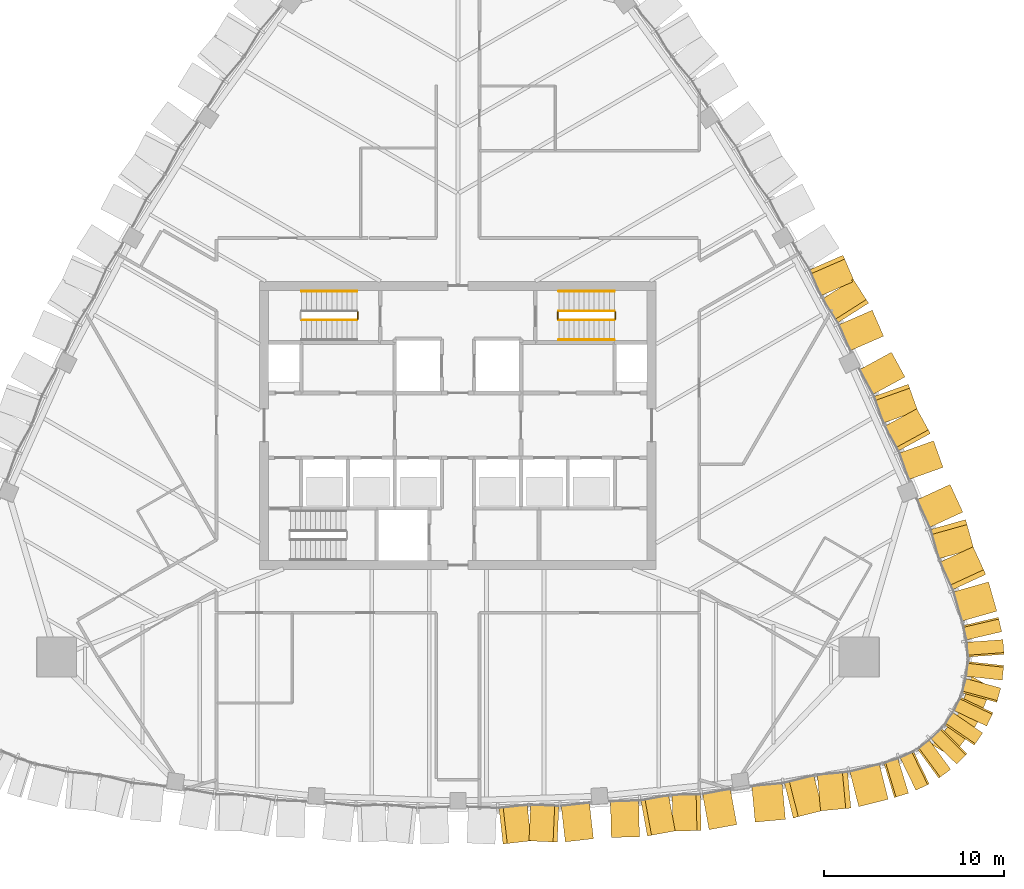
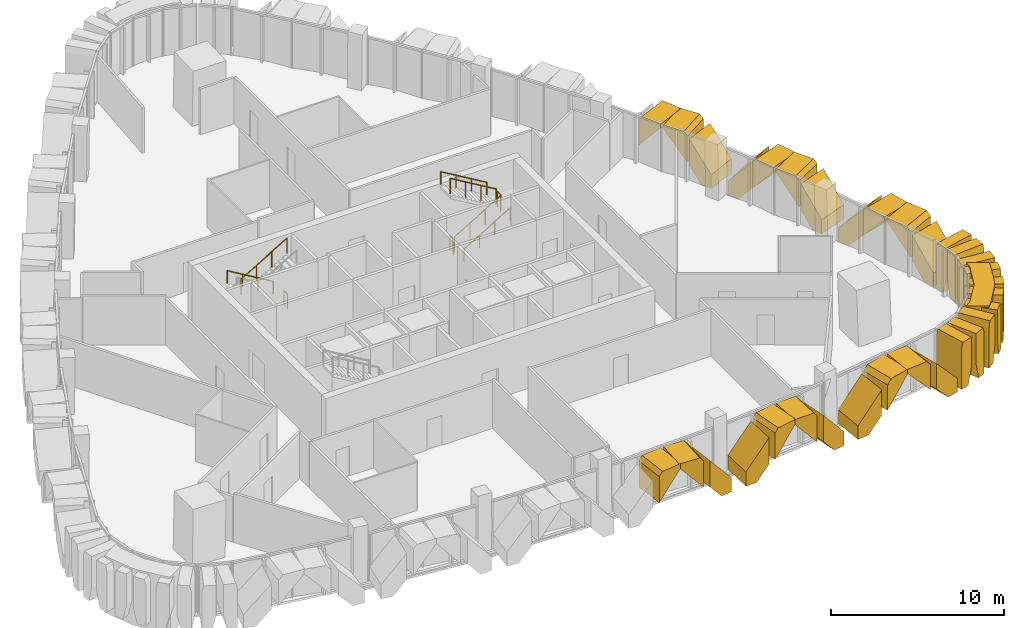
# One storey, part 17 of 19: 33 coverings, 9 railings.
"""IFC4 building model written with IfcOpenShell, lengths in metres."""

from ifc_helpers import new_model, si_unit, direction, frame, origin, origin_2d, place, context, subcontext, project, spatial, polyline, circle, outline, extrude, material, layer, layer_set, type_object, element, save


model = new_model("IFC4")

# Units and contexts
model_context = context("Model", 3, precision=1e-05, world=origin(), true_north=direction((0.0, 1.0)))
body_context = subcontext(model_context, "Body", "Model", "MODEL_VIEW")
ifc_project = project(units=[si_unit("LENGTHUNIT", "METRE"), si_unit("AREAUNIT", "SQUARE_METRE"), si_unit("VOLUMEUNIT", "CUBIC_METRE"), si_unit("PLANEANGLEUNIT", "RADIAN"), si_unit("MASSUNIT", "GRAM", prefix="KILO")], contexts=[model_context])

# Site, building, storey
site_placement = place(None, origin())
site = spatial("IfcSite", under=ifc_project, at=site_placement, CompositionType="ELEMENT")
building_placement = place(site_placement, origin())
building = spatial("IfcBuilding", under=site, at=building_placement, Name="Sierra Prisma Convention Tower", CompositionType="ELEMENT")
storey_placement = place(building_placement, frame((0.0, 0.0, 231.0)))
storey = spatial("IfcBuildingStorey", under=building, at=storey_placement, Name="L51", CompositionType="ELEMENT", Elevation=231.0)

# Coverings
ifc_material_1 = material(Name="Aluminium composite bronze anodised", Category="aluminium")
ifc_layer_1 = layer(ifc_material_1, 1.199951171875)
ifc_layer_set_1 = layer_set([ifc_layer_1], Name="Bronze corner pier")
covering_type_1 = type_object("IfcCoveringType", Name="Bronze corner pier", PredefinedType="CLADDING", material=ifc_layer_set_1)
covering_1_placement = place(storey_placement, frame((0.0, 0.0, -0.60009765625)))
element("IfcCovering", 1, at=covering_1_placement, inside=storey, type_object=covering_type_1, Name="Corner pier SE L51.1", PredefinedType="CLADDING", context=body_context, shape_type="SweptSolid", body=[
    extrude(outline(polyline([(29.507080078125, -14.82958984375), (28.84912109375, -16.4619140625), (28.680908203125, -16.7529296875), (27.59619140625, -18.138916015625), (27.37939453125, -18.347900390625), (26.2451171875, -17.693115234375), (26.6513671875, -17.3994140625), (27.736083984375, -16.013427734375), (28.39404296875, -14.381103515625), (28.445068359375, -13.88232421875), (29.579345703125, -14.537353515625), (29.507080078125, -14.82958984375)])), origin(), (0.0, 0.0, 1.0), 4.0),
])
ifc_material_2 = material(Name="Aluminium 6063-T6 bronze anodised", Category="aluminium")
ifc_layer_2 = layer(ifc_material_2, 2.0)
ifc_layer_set_2 = layer_set([ifc_layer_2], Name="Bronze crystal chevron frame")
covering_type_2 = type_object("IfcCoveringType", Name="Bronze crystal chevron frame", PredefinedType="CLADDING", material=ifc_layer_set_2)
covering_2_placement = place(storey_placement, frame((2.505126953125, -23.230712890625, 3.003662109375), z_axis=(0.11237336698, -0.993666053759, -6.403e-08), x_axis=(-7.195e-09, 6.3625e-08, -1.0)))
element("IfcCovering", 2, at=covering_2_placement, inside=storey, type_object=covering_type_2, Name="CW-2 chevron frame S4.1.2", PredefinedType="CLADDING", context=body_context, shape_type="SweptSolid", body=[
    extrude(outline(polyline([(0.0, 0.0), (1.8542480468749962, 0.0), (0.001464843749998864, 1.5729512680323616), (-0.27636718750000056, 1.5729512680323616), (-0.2763671875000093, 0.23464047972997332), (0.0, 0.0)])), origin(), (0.0, 0.0, -1.0), 2.0),
])
covering_3_placement = place(storey_placement, frame((3.94384765625, -23.05810546875, 3.280029296875), z_axis=(-0.044405665844, -0.999013579596, -6.8004954e-05), x_axis=(3.019805e-06, 6.7937872e-05, -0.999999997688)))
element("IfcCovering", 3, at=covering_3_placement, inside=storey, type_object=covering_type_2, Name="CW-2 chevron frame S4.2.1", PredefinedType="CLADDING", context=body_context, shape_type="SweptSolid", body=[
    extrude(outline(polyline([(0.0, 0.0), (0.2778320306075588, 0.0), (2.1306152307264083, 1.572839705469998), (0.27636718813905403, 1.572839705469998), (-9.860174714622487e-09, 1.3382405656752898), (0.0, 0.0)])), origin(), (0.0, 0.0, -1.0), 2.0),
])
covering_4_placement = place(storey_placement, frame((7.521240234375, -22.936279296875, 0.0), z_axis=(0.112338998587, -0.993669938368, -5.4586235e-05), x_axis=(6.132163e-06, -5.4240701e-05, 0.99999999851)))
element("IfcCovering", 4, at=covering_4_placement, inside=storey, type_object=covering_type_2, Name="CW-2 chevron frame S4.2.2", PredefinedType="CLADDING", context=body_context, shape_type="SweptSolid", body=[
    extrude(outline(polyline([(0.0, 0.0), (0.9978027328884451, 0.0), (2.850585936221861, 1.5729512670921313), (0.9963378921093727, 1.5729512670921313), (-8.49813335055211e-09, 0.7272422479336017), (0.0, 0.0)])), origin(), (0.0, 0.0, -1.0), 2.0),
])
covering_5_placement = place(storey_placement, frame((8.5126953125, -22.868896484375, 0.0), z_axis=(0.023695897207, -0.999719212234, 3.3842923e-05), x_axis=(0.999719212807, 0.02369589722, -4.516e-09)))
element("IfcCovering", 5, at=covering_5_placement, inside=storey, type_object=covering_type_2, Name="CW-2 chevron frame S5.1.1", PredefinedType="CLADDING", context=body_context, shape_type="SweptSolid", body=[
    extrude(outline(polyline([(0.0, 0.0), (0.725299017295272, -1.0587911840678754e-22), (1.564649109973795, 0.9934082107606181), (1.5646491015759474, 2.8527832096958066), (-4.519797408468471e-09, 1.0007324213019089), (0.0, 0.0)])), origin(), (0.0, 0.0, -1.0), 2.0),
])
covering_6_placement = place(storey_placement, frame((10.51806640625, -22.78662109375, 3.006591796875), z_axis=(0.179738450354, -0.98371443486, -1.0625466e-05), x_axis=(-1.909805e-06, 1.0452424e-05, -0.999999999944)))
element("IfcCovering", 6, at=covering_6_placement, inside=storey, type_object=covering_type_2, Name="CW-2 chevron frame S5.1.2", PredefinedType="CLADDING", context=body_context, shape_type="SweptSolid", body=[
    extrude(outline(polyline([(0.0, 0.0), (1.859374999895038, 0.0), (0.007324218718715311, 1.5647896013086815), (-0.27343750001543565, 1.5647896013086815), (-0.2734375002570582, 0.23105314342481292), (0.0, 0.0)])), origin(), (0.0, 0.0, -1.0), 2.0),
])
covering_7_placement = place(storey_placement, frame((11.933837890625, -22.51806640625, 3.280029296875), z_axis=(0.02372157401, -0.99971860285, 4.51952e-05), x_axis=(1.072101e-06, -4.5182483e-05, -0.999999998979)))
element("IfcCovering", 7, at=covering_7_placement, inside=storey, type_object=covering_type_2, Name="CW-2 chevron frame S5.2.1", PredefinedType="CLADDING", context=body_context, shape_type="SweptSolid", body=[
    extrude(outline(polyline([(0.0, 0.0), (0.2807617184632572, 0.0), (2.1328124983802774, 1.5648931867327032), (0.27343750027926256, 1.5648931867327032), (-4.3714564016582786e-09, 1.333873735099278), (0.0, 0.0)])), origin(), (0.0, 0.0, -1.0), 2.0),
])
covering_8_placement = place(storey_placement, frame((15.478759765625, -22.154541015625, 0.0), z_axis=(0.179725319904, -0.983716833778, -1.8100398e-05), x_axis=(3.2531e-06, -1.7805666e-05, 0.999999999836)))
element("IfcCovering", 8, at=covering_8_placement, inside=storey, type_object=covering_type_2, Name="CW-2 chevron frame S5.2.2", PredefinedType="CLADDING", context=body_context, shape_type="SweptSolid", body=[
    extrude(outline(polyline([(0.0, 0.0), (1.0007324217110678, 0.0), (2.852783202983144, 1.5647896012080678), (0.9934082032877324, 1.5647896012080678), (-9.370409880448382e-10, 0.7256741560746762), (0.0, 0.0)])), origin(), (0.0, 0.0, -1.0), 2.0),
])
covering_9_placement = place(storey_placement, frame((16.4951171875, -22.0166015625, 0.0), z_axis=(0.091688227507, -0.995787762545, -3.0042779e-05), x_axis=(0.995787762994, 0.091688227548, -3.304e-09)))
element("IfcCovering", 9, at=covering_9_placement, inside=storey, type_object=covering_type_2, Name="CW-2 chevron frame S6.1.1", PredefinedType="CLADDING", context=body_context, shape_type="SweptSolid", body=[
    extrude(outline(polyline([(0.0, 0.0), (0.749992882609367, 0.0), (1.6885060170891688, 1.0351562560462457), (1.6885060111866916, 2.8215332083650817), (-3.16944546004136e-09, 0.9592285151921153), (0.0, 0.0)])), origin(), (0.0, 0.0, -1.0), 2.0),
])
covering_10_placement = place(storey_placement, frame((18.613525390625, -21.78662109375, 2.96484375), z_axis=(0.246334007298, -0.969184994761, 5.2708094e-05), x_axis=(1.2983796e-05, -5.1083894e-05, -0.999999998611)))
element("IfcCovering", 10, at=covering_10_placement, inside=storey, type_object=covering_type_2, Name="CW-2 chevron frame S6.1.2", PredefinedType="CLADDING", context=body_context, shape_type="SweptSolid", body=[
    extrude(outline(polyline([(0.0, 0.0), (1.7863769506435947, 3.0262402710252517e-21), (-0.07592773514516152, 1.6887620514950343), (-0.3151855473128153, 1.6887620514950343), (-0.31518555294031864, 0.285941283884288), (0.0, 0.0)])), origin(), (0.0, 0.0, -1.0), 2.0),
])
covering_11_placement = place(storey_placement, frame((20.1279296875, -21.3916015625, 3.280029296875), z_axis=(0.091663079366, -0.995790077626, 3.437758e-05), x_axis=(3.151155e-06, -3.4232853e-05, -0.999999999409)))
element("IfcCovering", 11, at=covering_11_placement, inside=storey, type_object=covering_type_2, Name="CW-2 chevron frame S6.2.1", PredefinedType="CLADDING", context=body_context, shape_type="SweptSolid", body=[
    extrude(outline(polyline([(0.0, 0.0), (0.2392578123586204, 1.0132962503774589e-22), (2.10156249913066, 1.6887491335684892), (0.31518554706124596, 1.6887491335684892), (-2.3939316027607975e-09, 1.4028850757812537), (0.0, 0.0)])), origin(), (0.0, 0.0, -1.0), 2.0),
])
covering_12_placement = place(storey_placement, frame((23.88330078125, -20.74560546875, 0.0), z_axis=(0.246357409973, -0.969179047445, 2.3344249e-05), x_axis=(-5.751029e-06, 2.2624757e-05, 0.999999999728)))
element("IfcCovering", 12, at=covering_12_placement, inside=storey, type_object=covering_type_2, Name="CW-2 chevron frame S6.2.2", PredefinedType="CLADDING", context=body_context, shape_type="SweptSolid", body=[
    extrude(outline(polyline([(0.0, 0.0), (0.9592285153636324, 0.0), (2.8215332029203095, 1.6887620514038555), (1.0351562502820564, 1.6887620514038555), (-1.4962285831874605e-09, 0.749936177839446), (0.0, 0.0)])), origin(), (0.0, 0.0, -1.0), 2.0),
])
covering_13_placement = place(storey_placement, frame((24.220703125, -20.651611328125, 0.0), z_axis=(0.290142546236, -0.956983439151, 7.334765e-06), x_axis=(0.956983439177, 0.290142546243, 1.39e-09)))
element("IfcCovering", 13, at=covering_13_placement, inside=storey, type_object=covering_type_2, Name="CW-2 chevron frame SE1.1.1", PredefinedType="CLADDING", context=body_context, shape_type="SweptSolid", body=[
    extrude(outline(polyline([(0.0, 0.0), (0.5566924389398809, 2.117582368135751e-22), (0.8204462229823906, 1.1164550768839925), (0.8204462259889328, 3.280029295575794), (0.09877671633003264, 3.2800292977935595), (3.977510832852694e-09, 2.8623046874230056), (0.0, 0.0)])), origin(), (0.0, 0.0, -1.0), 2.0),
])
covering_14_placement = place(storey_placement, frame((25.4189453125, -20.251953125, 3.280029296875), z_axis=(0.436568118344, -0.899671205207, -2.3802935e-05), x_axis=(-1.0391603e-05, 2.1414815e-05, -0.999999999717)))
element("IfcCovering", 14, at=covering_14_placement, inside=storey, type_object=covering_type_2, Name="CW-2 chevron frame SE1.1.2", PredefinedType="CLADDING", context=body_context, shape_type="SweptSolid", body=[
    extrude(outline(polyline([(0.0, 0.0), (2.1635742181370814, 0.0), (3.2800292976926544, 0.263803848541476), (3.2800292963655853, 0.820349483374988), (0.417724609676447, 0.820349483374988), (-1.5037920243921116e-09, 0.7215328633171325), (0.0, 0.0)])), origin(), (0.0, 0.0, -1.0), 2.0),
])
covering_15_placement = place(storey_placement, frame((26.685791015625, -19.575927734375, 0.0), z_axis=(0.590480603243, -0.80705183055, 1.65315e-07), x_axis=(0.80705183055, 0.590480603243, -1.4e-11)))
element("IfcCovering", 15, at=covering_15_placement, inside=storey, type_object=covering_type_2, Name="CW-2 chevron frame SE2.1.1", PredefinedType="CLADDING", context=body_context, shape_type="SweptSolid", body=[
    extrude(outline(polyline([(0.0, 0.0), (0.5565825830509545, 0.0), (0.8207118197400176, 1.1164550781374127), (0.8207118197098091, 3.280029296887383), (0.09888447572687444, 3.2800292968681926), (-3.996442417696473e-11, 2.862304687499961), (0.0, 0.0)])), origin(), (0.0, 0.0, -1.0), 2.0),
])
covering_16_placement = place(storey_placement, frame((27.684326171875, -18.80224609375, 3.280029296875), z_axis=(0.709365080732, -0.704841244639, 4.5764266e-05), x_axis=(3.2463572e-05, -3.2256542e-05, -0.999999998953)))
element("IfcCovering", 16, at=covering_16_placement, inside=storey, type_object=covering_type_2, Name="CW-2 chevron frame SE2.1.2", PredefinedType="CLADDING", context=body_context, shape_type="SweptSolid", body=[
    extrude(outline(polyline([(0.0, 0.0), (2.16357421648434, 0.0), (3.280029300454542, 0.2637848343229448), (3.2800292950530054, 0.8205310704427364), (0.4177246105503652, 0.8205310704427364), (-4.967778622552021e-09, 0.7216120336846752), (0.0, 0.0)])), origin(), (0.0, 0.0, -1.0), 2.0),
])
covering_17_placement = place(storey_placement, frame((28.656494140625, -17.745361328125, 0.0), z_axis=(0.824225520206, -0.566261681099, 1.8956841e-05), x_axis=(0.566261681201, 0.824225520355, -5.77e-10)))
element("IfcCovering", 17, at=covering_17_placement, inside=storey, type_object=covering_type_2, Name="CW-2 chevron frame SE3.1.1", PredefinedType="CLADDING", context=body_context, shape_type="SweptSolid", body=[
    extrude(outline(polyline([(0.0, 0.0), (0.5565829060489099, -1.6940658945086007e-21), (0.8204835615396193, 1.1164550786004157), (0.8204835602902051, 3.2800292969616627), (0.09886846704955636, 3.280029298118816), (-1.6529149777596207e-09, 2.8623046869856985), (0.0, 0.0)])), origin(), (0.0, 0.0, -1.0), 2.0),
])
covering_18_placement = place(storey_placement, frame((29.3427734375, -16.68505859375, 3.280029296875), z_axis=(0.902553337185, -0.43057806896, 8.185814e-06), x_axis=(7.388134e-06, -3.524632e-06, -0.999999999966)))
element("IfcCovering", 18, at=covering_18_placement, inside=storey, type_object=covering_type_2, Name="CW-2 chevron frame SE3.1.2", PredefinedType="CLADDING", context=body_context, shape_type="SweptSolid", body=[
    extrude(outline(polyline([(0.0, 0.0), (2.163574218677512, -9.163093235556164e-22), (3.280029297455904, 0.2640482024570547), (3.2800292968678204, 0.8204323089794014), (0.41772460946371853, 0.8204323089794014), (3.3596663411770934e-10, 0.7217134241930027), (0.0, 0.0)])), origin(), (0.0, 0.0, -1.0), 2.0),
])
covering_19_placement = place(storey_placement, frame((29.91064453125, -15.365966796875, 0.0), z_axis=(0.965100123129, -0.261881179744, -5.752625e-06), x_axis=(0.261881179748, 0.965100123145, 6.6e-11)))
element("IfcCovering", 19, at=covering_19_placement, inside=storey, type_object=covering_type_2, Name="CW-2 chevron frame SE4.1.1", PredefinedType="CLADDING", context=body_context, shape_type="SweptSolid", body=[
    extrude(outline(polyline([(0.0, 0.0), (0.5565340173895897, 1.0587911840678754e-22), (0.820379672323829, 1.1164550780627833), (0.8203796724667591, 3.280029296776984), (0.09866905614434585, 3.280029297048686), (1.890897278176405e-10, 2.862304687452639), (0.0, 0.0)])), origin(), (0.0, 0.0, -1.0), 2.0),
])
covering_20_placement = place(storey_placement, frame((30.207763671875, -14.138427734375, 3.280029296875), z_axis=(0.994179435476, -0.107736948512, -1.346536e-06), x_axis=(-1.338699e-06, 1.45072e-07, -0.999999999999)))
element("IfcCovering", 20, at=covering_20_placement, inside=storey, type_object=covering_type_2, Name="CW-2 chevron frame SE4.1.2", PredefinedType="CLADDING", context=body_context, shape_type="SweptSolid", body=[
    extrude(outline(polyline([(0.0, 0.0), (2.163574218748039, -5.726933272222603e-23), (3.2800292970339022, 0.2639747019446151), (3.2800292968904987, 0.8204478196508613), (0.4177246093930933, 0.8204478196508613), (1.610291894325228e-10, 0.7217172144759898), (0.0, 0.0)])), origin(), (0.0, 0.0, -1.0), 2.0),
])
covering_21_placement = place(storey_placement, frame((30.30712890625, -12.705810546875, 0.0), z_axis=(0.997404462544, 0.07200234786, 2.36219e-07), x_axis=(-0.07200234786, 0.997404462544, -1.6e-11)))
element("IfcCovering", 21, at=covering_21_placement, inside=storey, type_object=covering_type_2, Name="CW-2 chevron frame SE5.1.1", PredefinedType="CLADDING", context=body_context, shape_type="SweptSolid", body=[
    extrude(outline(polyline([(0.0, 0.0), (0.5566177082212044, 1.6543612251060553e-24), (0.820489337537648, 1.11645507813964), (0.8204893375020039, 3.2800292968895803), (0.09888658953475875, 3.2800292968670672), (-4.7155368956307335e-11, 2.8623046874999205), (0.0, 0.0)])), origin(), (0.0, 0.0, -1.0), 2.0),
])
covering_22_placement = place(storey_placement, frame((30.181640625, -11.448974609375, 3.280029296875), z_axis=(0.973824023512, 0.227303258112, -9.046633e-06), x_axis=(-8.809828e-06, -2.056329e-06, -0.999999999959)))
element("IfcCovering", 22, at=covering_22_placement, inside=storey, type_object=covering_type_2, Name="CW-2 chevron frame SE5.1.2", PredefinedType="CLADDING", context=body_context, shape_type="SweptSolid", body=[
    extrude(outline(polyline([(0.0, 0.0), (2.163574218661465, 0.0), (3.2800292972054326, 0.26400227009236604), (3.280029296824686, 0.8205531538796633), (0.4177246094418134, 0.8205531538796633), (8.091826897936843e-12, 0.721774207339933), (0.0, 0.0)])), origin(), (0.0, 0.0, -1.0), 2.0),
])
covering_23_placement = place(storey_placement, frame((29.907958984375, -10.310791015625, 0.0), z_axis=(0.962479016172, 0.271356117825, -2.7339417e-05), x_axis=(-0.271356117927, 0.962479016532, -2.736e-09)))
element("IfcCovering", 23, at=covering_23_placement, inside=storey, type_object=covering_type_2, Name="CW-2 chevron frame NE1.1.1", PredefinedType="CLADDING", context=body_context, shape_type="SweptSolid", body=[
    extrude(outline(polyline([(0.0, 0.0), (0.7500882456628382, 0.0), (1.6888478305214556, 1.0351562550074223), (1.6888478256340616, 2.8215332074648143), (-2.624377676820216e-09, 0.9592285152665153), (0.0, 0.0)])), origin(), (0.0, 0.0, -1.0), 2.0),
])
covering_24_placement = place(storey_placement, frame((29.29638671875, -8.269287109375, 2.96484375), z_axis=(0.908201380464, 0.418533454306, 1.2266844e-05), x_axis=(1.1140765e-05, 5.134085e-06, -0.999999999925)))
element("IfcCovering", 24, at=covering_24_placement, inside=storey, type_object=covering_type_2, Name="CW-2 chevron frame NE1.1.2", PredefinedType="CLADDING", context=body_context, shape_type="SweptSolid", body=[
    extrude(outline(polyline([(0.0, 0.0), (1.786376952990597, 0.0), (-0.07592773441671506, 1.688714702834325), (-0.3151855468987138, 1.688714702834325), (-0.31518554720352215, 0.28576646975853104), (0.0, 0.0)])), origin(), (0.0, 0.0, -1.0), 2.0),
])
covering_25_placement = place(storey_placement, frame((28.632568359375, -6.85205078125, 3.280029296875), z_axis=(0.962518444531, 0.271216225065, 5.6564323e-05), x_axis=(5.4444205e-05, 1.5341162e-05, -0.9999999984)))
element("IfcCovering", 25, at=covering_25_placement, inside=storey, type_object=covering_type_2, Name="CW-2 chevron frame NE1.2.1", PredefinedType="CLADDING", context=body_context, shape_type="SweptSolid", body=[
    extrude(outline(polyline([(0.0, 0.0), (0.23925781211724462, 8.106370003019671e-22), (2.101562497646445, 1.6887816047299506), (0.31518554737922166, 1.6887816047299506), (-6.481064362925438e-09, 1.4029579152268508), (0.0, 0.0)])), origin(), (0.0, 0.0, -1.0), 2.0),
])
covering_26_placement = place(storey_placement, frame((27.314453125, -3.27685546875, 0.0), z_axis=(0.908213642206, 0.418506842781, -5.1534868e-05), x_axis=(4.680467e-05, 2.1567695e-05, 0.999999998672)))
element("IfcCovering", 26, at=covering_26_placement, inside=storey, type_object=covering_type_2, Name="CW-2 chevron frame NE1.2.2", PredefinedType="CLADDING", context=body_context, shape_type="SweptSolid", body=[
    extrude(outline(polyline([(0.0, 0.0), (0.9592285143512201, 0.0), (2.821533202127438, 1.6887147019961386), (1.035156251374606, 1.6887147019961386), (-7.291895963661602e-09, 0.7499261129902687), (0.0, 0.0)])), origin(), (0.0, 0.0, -1.0), 2.0),
])
covering_27_placement = place(storey_placement, frame((26.92578125, -2.327880859375, 0.0), z_axis=(0.941797001165, 0.336182106147, 1.0116171e-05), x_axis=(-0.336182106165, 0.941797001214, -4.03e-10)))
element("IfcCovering", 27, at=covering_27_placement, inside=storey, type_object=covering_type_2, Name="CW-2 chevron frame NE2.1.1", PredefinedType="CLADDING", context=body_context, shape_type="SweptSolid", body=[
    extrude(outline(polyline([(0.0, 0.0), (0.7255702466931178, 4.235164736271502e-22), (1.564966048210243, 0.9934082038071373), (1.5649660474601723, 2.8527832037119962), (-4.0369481107931426e-10, 1.000732421823794), (0.0, 0.0)])), origin(), (0.0, 0.0, -1.0), 2.0),
])
covering_28_placement = place(storey_placement, frame((26.21826171875, -0.449462890625, 3.006591796875), z_axis=(0.877642818165, 0.479315223037, -2.624302e-05), x_axis=(-2.3031998e-05, -1.2578679e-05, -0.999999999656)))
element("IfcCovering", 28, at=covering_28_placement, inside=storey, type_object=covering_type_2, Name="CW-2 chevron frame NE2.1.2", PredefinedType="CLADDING", context=body_context, shape_type="SweptSolid", body=[
    extrude(outline(polyline([(0.0, 0.0), (1.859374999359728, -3.1499037726019294e-21), (0.0073242185591625856, 1.5647454149301256), (-0.2734375000941576, 1.5647454149301256), (-0.2734375015680614, 0.23085286509720981), (0.0, 0.0)])), origin(), (0.0, 0.0, -1.0), 2.0),
])
covering_29_placement = place(storey_placement, frame((25.51904296875, 0.810546875, 3.280029296875), z_axis=(0.94179249048, 0.336194740104, 4.0025915e-05), x_axis=(3.7696107e-05, 1.3456502e-05, -0.999999999199)))
element("IfcCovering", 29, at=covering_29_placement, inside=storey, type_object=covering_type_2, Name="CW-2 chevron frame NE2.2.1", PredefinedType="CLADDING", context=body_context, shape_type="SweptSolid", body=[
    extrude(outline(polyline([(0.0, 0.0), (0.2807617185250995, 0.0), (2.1328124987296055, 1.5649660486049795), (0.27343750021903357, 1.5649660486049795), (-3.4286572032183682e-09, 1.3337676038736037), (0.0, 0.0)])), origin(), (0.0, 0.0, -1.0), 2.0),
])
covering_30_placement = place(storey_placement, frame((24.0615234375, 4.062255859375, 0.0), z_axis=(0.877651215788, 0.479299846662, -2.0372925e-05), x_axis=(1.7880322e-05, 9.76474e-06, 0.999999999792)))
element("IfcCovering", 30, at=covering_30_placement, inside=storey, type_object=covering_type_2, Name="CW-2 chevron frame NE2.2.2", PredefinedType="CLADDING", context=body_context, shape_type="SweptSolid", body=[
    extrude(outline(polyline([(0.0, 0.0), (1.00073242166732, 1.6953066654274302e-21), (2.8527832029452878, 1.5647454148156952), (0.9934082033311601, 1.5647454148156952), (-1.1871049018722982e-09, 0.7254485725193602), (0.0, 0.0)])), origin(), (0.0, 0.0, -1.0), 2.0),
])
covering_31_placement = place(storey_placement, frame((23.6240234375, 4.954345703125, 0.0), z_axis=(0.916716046078, 0.399539348122, -1.28124e-05), x_axis=(-0.399539348155, 0.916716046154, -6.44e-10)))
element("IfcCovering", 31, at=covering_31_placement, inside=storey, type_object=covering_type_2, Name="CW-2 chevron frame NE3.1.1", PredefinedType="CLADDING", context=body_context, shape_type="SweptSolid", body=[
    extrude(outline(polyline([(0.0, 0.0), (0.7270719312266495, 4.235164736271502e-22), (1.572885558619993, 0.9963378917196115), (1.5728855574259808, 2.850585938442417), (-6.425183798683691e-10, 0.9978027342931015), (0.0, 0.0)])), origin(), (0.0, 0.0, -1.0), 2.0),
])
covering_32_placement = place(storey_placement, frame((22.787109375, 6.78759765625, 3.003662109375), z_axis=(0.842964698387, 0.537968881292, 5.874832e-06), x_axis=(4.952276e-06, 3.160477e-06, -0.999999999983)))
element("IfcCovering", 32, at=covering_32_placement, inside=storey, type_object=covering_type_2, Name="CW-2 chevron frame NE3.1.2", PredefinedType="CLADDING", context=body_context, shape_type="SweptSolid", body=[
    extrude(outline(polyline([(0.0, 0.0), (1.8542480468430016, -7.8530459404253065e-22), (0.0014648437404362804, 1.5729349168969253), (-0.27636718750476924, 1.5729349168969253), (-0.2763671875783551, 0.23460237239700427), (0.0, 0.0)])), origin(), (0.0, 0.0, -1.0), 2.0),
])
covering_33_placement = place(storey_placement, frame((21.999267578125, 8.00390625, 3.280029296875), z_axis=(0.91671952476, 0.399531366618, -3.361735e-06), x_axis=(-3.081768e-06, -1.343119e-06, -0.999999999994)))
element("IfcCovering", 33, at=covering_33_placement, inside=storey, type_object=covering_type_2, Name="CW-2 chevron frame NE3.2.1", PredefinedType="CLADDING", context=body_context, shape_type="SweptSolid", body=[
    extrude(outline(polyline([(0.0, 0.0), (0.2778320312484301, 5.883322106783409e-23), (2.130615234366084, 1.5728855593130957), (0.27636718750156164, 1.5728855593130957), (-2.4095197882620777e-11, 1.3382542248158515), (0.0, 0.0)])), origin(), (0.0, 0.0, -1.0), 2.0),
])

# Railings
ifc_material_3 = material(Name="Stainless steel", Category="steel")
railing_type_1 = type_object("IfcRailingType", Name="Exit stair handrail", PredefinedType="HANDRAIL", material=ifc_material_3)
railing_1_placement = place(storey_placement, frame((-5.60009765625, 7.449951171875, 0.166748046875)))
element("IfcRailing", 34, at=railing_1_placement, inside=storey, type_object=railing_type_1, Name="L51 S3 stair handrail 1", PredefinedType="HANDRAIL", context=body_context, shape_type="SweptSolid", body=[
    extrude(circle(Radius=0.02392578125, at=origin_2d()), frame((0.0, 0.0, 0.8759765625), z_axis=(-0.859290745958, 0.0, 0.51148745235), x_axis=(0.0, -1.0, 0.0)), (0.0, 0.0, 1.0), 3.584228515625),
    extrude(circle(Radius=0.02099609375, at=origin_2d()), origin(), (0.0, 0.0, 1.0), 0.851806640625),
    extrude(circle(Radius=0.02099609375, at=origin_2d()), frame((-1.026611328125, 0.0, 0.611083984375)), (0.0, 0.0, 1.0), 0.851806640625),
    extrude(circle(Radius=0.02099609375, at=origin_2d()), frame((-2.05322265625, 0.0, 1.22216796875)), (0.0, 0.0, 1.0), 0.851806640625),
    extrude(circle(Radius=0.02099609375, at=origin_2d()), frame((-3.079833984375, 0.0, 1.833251953125)), (0.0, 0.0, 1.0), 0.851806640625),
])
railing_2_placement = place(storey_placement, frame((5.60009765625, 4.75, 0.166748046875)))
element("IfcRailing", 35, at=railing_2_placement, inside=storey, type_object=railing_type_1, Name="L51 S4 stair handrail 1", PredefinedType="HANDRAIL", context=body_context, shape_type="SweptSolid", body=[
    extrude(circle(Radius=0.02392578125, at=origin_2d()), frame((0.0, 0.0, 0.8759765625), z_axis=(0.859290745958, 0.0, 0.51148745235), x_axis=(0.0, 1.0, 0.0)), (0.0, 0.0, 1.0), 3.584228515625),
    extrude(circle(Radius=0.02099609375, at=origin_2d()), origin(), (0.0, 0.0, 1.0), 0.851806640625),
    extrude(circle(Radius=0.02099609375, at=origin_2d()), frame((1.026611328125, 0.0, 0.611083984375)), (0.0, 0.0, 1.0), 0.851806640625),
    extrude(circle(Radius=0.02099609375, at=origin_2d()), frame((2.05322265625, 0.0, 1.22216796875)), (0.0, 0.0, 1.0), 0.851806640625),
    extrude(circle(Radius=0.02099609375, at=origin_2d()), frame((3.079833984375, 0.0, 1.833251953125)), (0.0, 0.0, 1.0), 0.851806640625),
])
railing_3_placement = place(storey_placement, frame((8.679931640625, 7.449951171875, 2.166748046875)))
element("IfcRailing", 36, at=railing_3_placement, inside=storey, type_object=railing_type_1, Name="L51 S4 stair handrail 2", PredefinedType="HANDRAIL", context=body_context, shape_type="SweptSolid", body=[
    extrude(circle(Radius=0.02392578125, at=origin_2d()), frame((0.0, 0.0, 0.8759765625), z_axis=(-0.859290745958, 0.0, 0.51148745235), x_axis=(0.0, -1.0, 0.0)), (0.0, 0.0, 1.0), 3.584228515625),
    extrude(circle(Radius=0.02099609375, at=origin_2d()), origin(), (0.0, 0.0, 1.0), 0.851806640625),
    extrude(circle(Radius=0.02099609375, at=origin_2d()), frame((-1.026611328125, 0.0, 0.611083984375)), (0.0, 0.0, 1.0), 0.851806640625),
    extrude(circle(Radius=0.02099609375, at=origin_2d()), frame((-2.05322265625, 0.0, 1.22216796875)), (0.0, 0.0, 1.0), 0.851806640625),
    extrude(circle(Radius=0.02099609375, at=origin_2d()), frame((-3.079833984375, 0.0, 1.833251953125)), (0.0, 0.0, 1.0), 0.851806640625),
])
ifc_material_4 = material(Name="Stainless steel", Category="steel")
railing_type_2 = type_object("IfcRailingType", Name="Stair guard 1100", PredefinedType="GUARDRAIL", material=ifc_material_4)
railing_4_placement = place(storey_placement, frame((-8.679931640625, 5.85009765625, 2.166748046875)))
element("IfcRailing", 37, at=railing_4_placement, inside=storey, type_object=railing_type_2, Name="L51 S3 stair guard 3", PredefinedType="GUARDRAIL", context=body_context, shape_type="SweptSolid", body=[
    extrude(circle(Radius=0.02392578125, at=origin_2d()), frame((0.0, 0.0, 1.076171875), z_axis=(0.859290745958, 0.0, 0.51148745235), x_axis=(0.0, 1.0, 0.0)), (0.0, 0.0, 1.0), 3.584228515625),
    extrude(circle(Radius=0.02099609375, at=origin_2d()), origin(), (0.0, 0.0, 1.0), 1.052001953125),
    extrude(circle(Radius=0.02099609375, at=origin_2d()), frame((1.026611328125, 0.0, 0.611083984375)), (0.0, 0.0, 1.0), 1.052001953125),
    extrude(circle(Radius=0.02099609375, at=origin_2d()), frame((2.05322265625, 0.0, 1.22216796875)), (0.0, 0.0, 1.0), 1.052001953125),
    extrude(circle(Radius=0.02099609375, at=origin_2d()), frame((3.079833984375, 0.0, 1.833251953125)), (0.0, 0.0, 1.0), 1.052001953125),
])
railing_5_placement = place(storey_placement, frame((-5.550048828125, 6.300048828125, 0.0)))
element("IfcRailing", 38, at=railing_5_placement, inside=storey, type_object=railing_type_2, Name="L51 S3 stair guard 4", PredefinedType="GUARDRAIL", context=body_context, shape_type="SweptSolid", body=[
    extrude(circle(Radius=0.02392578125, at=origin_2d()), frame((0.0, 0.0, 1.076171875), z_axis=(0.0, -1.0, 0.0), x_axis=(1.0, 0.0, 0.0)), (0.0, 0.0, 1.0), 0.400146484375),
    extrude(circle(Radius=0.02099609375, at=origin_2d()), origin(), (0.0, 0.0, 1.0), 1.052001953125),
    extrude(circle(Radius=0.02099609375, at=origin_2d()), frame((0.0, -0.400146484375, 0.0)), (0.0, 0.0, 1.0), 1.052001953125),
])
railing_6_placement = place(storey_placement, frame((5.60009765625, 5.85009765625, 0.166748046875)))
element("IfcRailing", 39, at=railing_6_placement, inside=storey, type_object=railing_type_2, Name="L51 S4 stair guard 1", PredefinedType="GUARDRAIL", context=body_context, shape_type="SweptSolid", body=[
    extrude(circle(Radius=0.02392578125, at=origin_2d()), frame((0.0, 0.0, 1.076171875), z_axis=(0.859290745958, 0.0, 0.51148745235), x_axis=(0.0, 1.0, 0.0)), (0.0, 0.0, 1.0), 3.584228515625),
    extrude(circle(Radius=0.02099609375, at=origin_2d()), origin(), (0.0, 0.0, 1.0), 1.052001953125),
    extrude(circle(Radius=0.02099609375, at=origin_2d()), frame((1.026611328125, 0.0, 0.611083984375)), (0.0, 0.0, 1.0), 1.052001953125),
    extrude(circle(Radius=0.02099609375, at=origin_2d()), frame((2.05322265625, 0.0, 1.22216796875)), (0.0, 0.0, 1.0), 1.052001953125),
    extrude(circle(Radius=0.02099609375, at=origin_2d()), frame((3.079833984375, 0.0, 1.833251953125)), (0.0, 0.0, 1.0), 1.052001953125),
])
railing_7_placement = place(storey_placement, frame((8.72998046875, 5.89990234375, 2.0)))
element("IfcRailing", 40, at=railing_7_placement, inside=storey, type_object=railing_type_2, Name="L51 S4 stair guard 2", PredefinedType="GUARDRAIL", context=body_context, shape_type="SweptSolid", body=[
    extrude(circle(Radius=0.02392578125, at=origin_2d()), frame((0.0, 0.0, 1.076171875), z_axis=(0.0, 1.0, 0.0), x_axis=(-1.0, 0.0, 0.0)), (0.0, 0.0, 1.0), 0.400146484375),
    extrude(circle(Radius=0.02099609375, at=origin_2d()), origin(), (0.0, 0.0, 1.0), 1.052001953125),
    extrude(circle(Radius=0.02099609375, at=origin_2d()), frame((0.0, 0.400146484375, 0.0)), (0.0, 0.0, 1.0), 1.052001953125),
])
railing_8_placement = place(storey_placement, frame((8.679931640625, 6.35009765625, 2.166748046875)))
element("IfcRailing", 41, at=railing_8_placement, inside=storey, type_object=railing_type_2, Name="L51 S4 stair guard 3", PredefinedType="GUARDRAIL", context=body_context, shape_type="SweptSolid", body=[
    extrude(circle(Radius=0.02392578125, at=origin_2d()), frame((0.0, 0.0, 1.076171875), z_axis=(-0.859290745958, 0.0, 0.51148745235), x_axis=(0.0, -1.0, 0.0)), (0.0, 0.0, 1.0), 3.584228515625),
    extrude(circle(Radius=0.02099609375, at=origin_2d()), origin(), (0.0, 0.0, 1.0), 1.052001953125),
    extrude(circle(Radius=0.02099609375, at=origin_2d()), frame((-1.026611328125, 0.0, 0.611083984375)), (0.0, 0.0, 1.0), 1.052001953125),
    extrude(circle(Radius=0.02099609375, at=origin_2d()), frame((-2.05322265625, 0.0, 1.22216796875)), (0.0, 0.0, 1.0), 1.052001953125),
    extrude(circle(Radius=0.02099609375, at=origin_2d()), frame((-3.079833984375, 0.0, 1.833251953125)), (0.0, 0.0, 1.0), 1.052001953125),
])
railing_9_placement = place(storey_placement, frame((5.550048828125, 5.89990234375, 0.0)))
element("IfcRailing", 42, at=railing_9_placement, inside=storey, type_object=railing_type_2, Name="L51 S4 stair guard 4", PredefinedType="GUARDRAIL", context=body_context, shape_type="SweptSolid", body=[
    extrude(circle(Radius=0.02392578125, at=origin_2d()), frame((0.0, 0.0, 1.076171875), z_axis=(0.0, 1.0, 0.0), x_axis=(-1.0, 0.0, 0.0)), (0.0, 0.0, 1.0), 0.400146484375),
    extrude(circle(Radius=0.02099609375, at=origin_2d()), origin(), (0.0, 0.0, 1.0), 1.052001953125),
    extrude(circle(Radius=0.02099609375, at=origin_2d()), frame((0.0, 0.400146484375, 0.0)), (0.0, 0.0, 1.0), 1.052001953125),
])

save(model, "model.ifc")
